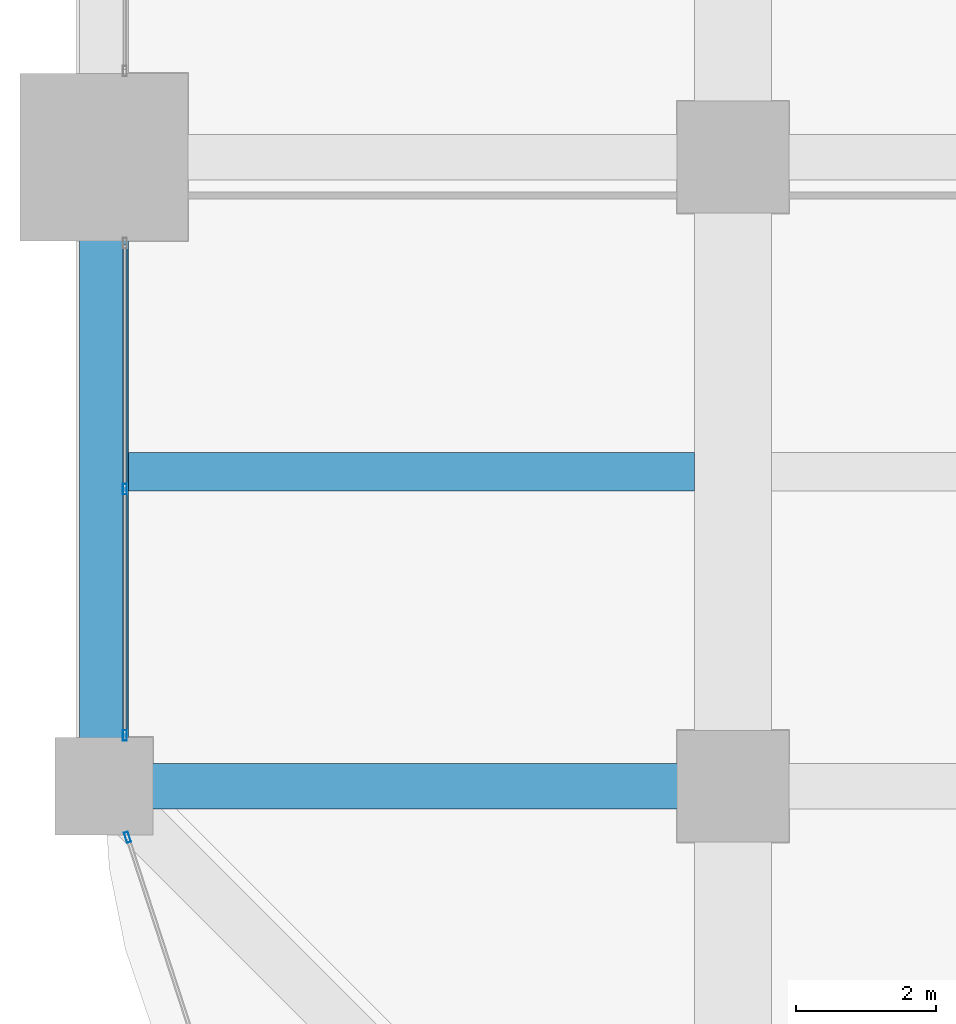
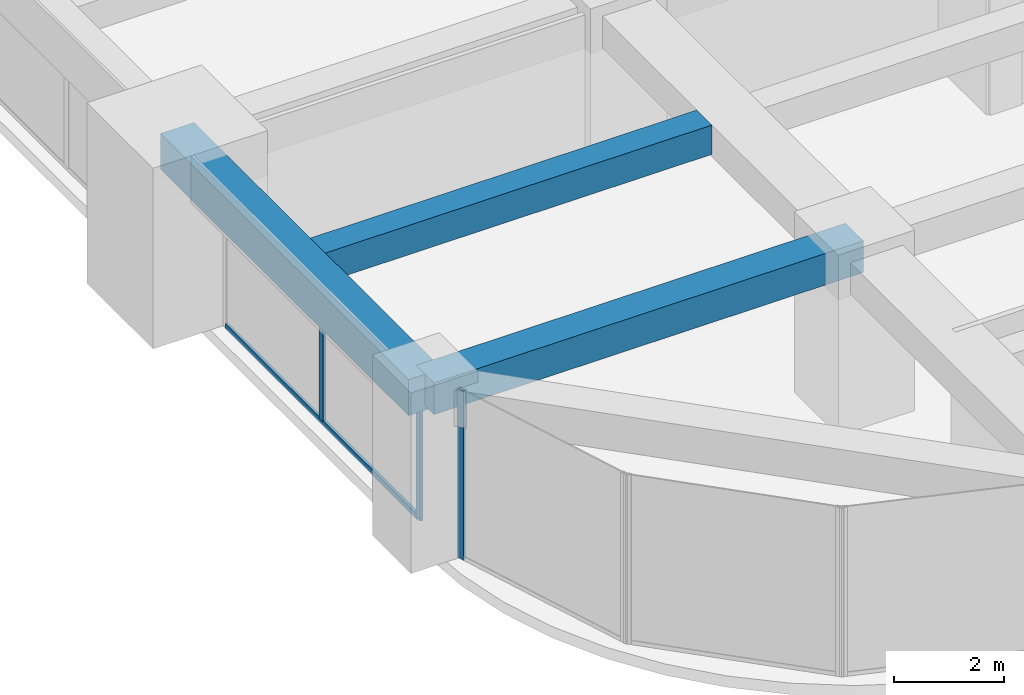
# One storey, part 4 of 32: 4 members, 3 beams, 2 elements without a shape of their own.
"""IFC4 building model written with IfcOpenShell, lengths in metres."""

import ifcopenshell
import ifcopenshell.guid

model = None  # the IFC model being written
_history = None  # IfcOwnerHistory: only IFC2X3 demands one
_inside = {}  # id of a spatial element -> (the spatial element, [elements in it])
_under = {}  # id of a project, library or spatial element -> (it, [spatial elements below it])
_declared = {}  # id of a project -> (the project, [libraries it declares])
_typed = {}  # id of a type object -> (the type object, [elements of that type])
_made_of = {}  # id of a material, layer set ... -> (it, [elements and type objects made of it])


def new_model(schema):
    """Start an empty IFC model of exactly this schema.

    Asked for "IFC4X3", IfcOpenShell would pick the latest addendum, in which some entities
    have other attributes; the version numbers below select the first issue.
    IFC2X3 requires an IfcOwnerHistory on every rooted entity: one is made here for all.
    """
    global model, _history
    if schema == "IFC4X3":
        model = ifcopenshell.file(schema_version=(4, 3, 0, 0))
    else:
        model = ifcopenshell.file(schema=schema)
    _inside.clear()
    _under.clear()
    _declared.clear()
    _typed.clear()
    _made_of.clear()
    _history = None
    if model.schema == "IFC2X3":
        org = make("IfcOrganization", Name="unknown")
        user = make(
            "IfcPersonAndOrganization",
            ThePerson=make("IfcPerson", FamilyName="unknown"),
            TheOrganization=org,
        )
        app = make(
            "IfcApplication",
            ApplicationDeveloper=org,
            Version="unknown",
            ApplicationFullName="unknown",
            ApplicationIdentifier="unknown",
        )
        _history = make(
            "IfcOwnerHistory",
            OwningUser=user,
            OwningApplication=app,
            ChangeAction="ADDED",
            CreationDate=0,
        )
    return model


def make(cls, **values):
    """One entity of the class cls with the attributes given. An attribute that is None is left unset."""
    return model.create_entity(
        cls, **{name: value for name, value in values.items() if value is not None}
    )


def rooted(cls, **values):
    """An entity with a GlobalId (a new one), such as an element, a storey or a relation."""
    return make(cls, GlobalId=ifcopenshell.guid.new(), OwnerHistory=_history, **values)


def si_unit(unit_type, name, prefix=None):
    """IfcSIUnit, for example si_unit("LENGTHUNIT", "METRE", prefix="MILLI")."""
    return make("IfcSIUnit", UnitType=unit_type, Prefix=prefix, Name=name)


def assignment(units):
    """IfcUnitAssignment: the units of a project."""
    return None if units is None else make("IfcUnitAssignment", Units=units)


def point(xyz):
    """IfcCartesianPoint."""
    return None if xyz is None else make("IfcCartesianPoint", Coordinates=xyz)


def direction(xyz):
    """IfcDirection."""
    return None if xyz is None else make("IfcDirection", DirectionRatios=xyz)


def frame(location, z_axis=None, x_axis=None):
    """IfcAxis2Placement3D, a coordinate frame: its origin and axes. An axis left out is left unset."""
    return make(
        "IfcAxis2Placement3D",
        Location=point(location),
        Axis=direction(z_axis),
        RefDirection=direction(x_axis),
    )


def frame_2d(location, x_axis=None):
    """IfcAxis2Placement2D, a coordinate frame in the plane: its origin and x axis."""
    return make(
        "IfcAxis2Placement2D", Location=point(location), RefDirection=direction(x_axis)
    )


def origin():
    """The frame at (0, 0, 0) with its axes left unset."""
    return frame((0.0, 0.0, 0.0))


def origin_2d():
    """The frame at (0, 0) in the plane with its x axis left unset."""
    return frame_2d((0.0, 0.0))


def place(relative_to, where):
    """IfcLocalPlacement: puts the frame where relative to a parent placement (None: the world)."""
    return make(
        "IfcLocalPlacement", PlacementRelTo=relative_to, RelativePlacement=where
    )


def context(
    kind, dimensions, precision=None, world=None, true_north=None, identifier=None
):
    """IfcGeometricRepresentationContext, for example the 3D "Model" context."""
    return make(
        "IfcGeometricRepresentationContext",
        ContextIdentifier=identifier,
        ContextType=kind,
        CoordinateSpaceDimension=dimensions,
        Precision=precision,
        WorldCoordinateSystem=world,
        TrueNorth=true_north,
    )


def subcontext(parent, identifier, kind, view, scale=None):
    """IfcGeometricRepresentationSubContext, for example "Body" below "Model"."""
    return make(
        "IfcGeometricRepresentationSubContext",
        ContextIdentifier=identifier,
        ContextType=kind,
        ParentContext=parent,
        TargetScale=scale,
        TargetView=view,
    )


def project(units=None, contexts=None):
    """IfcProject with its units and contexts."""
    return rooted(
        "IfcProject",
        Name="project",
        RepresentationContexts=contexts,
        UnitsInContext=assignment(units),
    )


def spatial(cls, under=None, at=None, **own):
    """A site, building, storey or space (cls), placed at a placement, below another one or the project."""
    s = rooted(cls, ObjectPlacement=at, **own)
    if under is not None:
        _under.setdefault(under.id(), (under, []))[1].append(s)
    return s


def profile(cls, at=None, kind="AREA", **sizes):
    """A parametric profile (cls). Its sizes go by their IFC names, for example OverallWidth=200.0."""
    return make(cls, ProfileType=kind, Position=at, **sizes)


def rectangle(**sizes):
    """IfcRectangleProfileDef."""
    return profile("IfcRectangleProfileDef", **sizes)


def hollow_rectangle(**sizes):
    """IfcRectangleHollowProfileDef."""
    return profile("IfcRectangleHollowProfileDef", **sizes)


def extrude(swept, where, along, depth):
    """IfcExtrudedAreaSolid: the profile swept, set in the frame where, extruded along a direction by depth."""
    return make(
        "IfcExtrudedAreaSolid",
        SweptArea=swept,
        Position=where,
        ExtrudedDirection=direction(along),
        Depth=depth,
    )


def shape(context_of_items, identifier, shape_type, items):
    """IfcShapeRepresentation: the items that make up one representation, for example the "Body"."""
    return make(
        "IfcShapeRepresentation",
        ContextOfItems=context_of_items,
        RepresentationIdentifier=identifier,
        RepresentationType=shape_type,
        Items=items,
    )


def material(Name=None, Category=None):
    """IfcMaterial."""
    return make("IfcMaterial", Name=Name, Category=Category)


def material_profile(
    of_material, cross_section, Name=None, Category=None, Priority=None
):
    """IfcMaterialProfile: a cross section and its material."""
    return make(
        "IfcMaterialProfile",
        Name=Name,
        Material=of_material,
        Profile=cross_section,
        Priority=Priority,
        Category=Category,
    )


def profile_set(profiles, Name=None, composite=None):
    """IfcMaterialProfileSet."""
    return make(
        "IfcMaterialProfileSet",
        Name=Name,
        MaterialProfiles=profiles,
        CompositeProfile=composite,
    )


def made_of(thing, what):
    """Note that an element or type object is made of a material, layer set ...; save() writes the relation."""
    if what is not None:
        _made_of.setdefault(what.id(), (what, []))[1].append(thing)
    return thing


def type_object(cls, material=None, **own):
    """A type object (cls), such as IfcWallType, which elements share."""
    return made_of(rooted(cls, **own), material)


def element(
    cls,
    number,
    at=None,
    inside=None,
    cuts=None,
    type_object=None,
    material=None,
    context=None,
    identifier="Body",
    shape_type=None,
    held_by="IfcProductDefinitionShape",
    body=None,
    shapes=None,
    **own,
):
    """One element of the class cls, such as IfcWall. Its Tag is "e" and its number.

    at: its placement. inside: the storey or other place that contains it. cuts: it is an
    opening in that element (IfcRelVoidsElement). A single representation is given by context,
    identifier, shape_type and body (its items); several are given by shapes. held_by: the class
    of the entity that holds the representations. save() writes the other relations.
    """
    e = rooted(cls, Tag="e%d" % number, ObjectPlacement=at, **own)
    if body is not None:
        shapes = [shape(context, identifier, shape_type, body)]
    if shapes is not None:
        e.Representation = make(held_by, Representations=shapes)
    if inside is not None:
        _inside.setdefault(inside.id(), (inside, []))[1].append(e)
    if cuts is not None:
        rooted(
            "IfcRelVoidsElement", RelatingBuildingElement=cuts, RelatedOpeningElement=e
        )
    if type_object is not None:
        _typed.setdefault(type_object.id(), (type_object, []))[1].append(e)
    return made_of(e, material)


def aggregate(whole, parts):
    """IfcRelAggregates: a whole, such as a stair, and the parts it consists of."""
    return rooted("IfcRelAggregates", RelatingObject=whole, RelatedObjects=parts)


def save(model, path):
    """Write the relations noted so far, then the file.

    IfcRelAggregates (storeys below a building ...), IfcRelContainedInSpatialStructure (elements
    in a storey), IfcRelDefinesByType, IfcRelAssociatesMaterial and IfcRelDeclares: one each for
    every whole, place, type object, material and project.
    """
    for whole, parts in _under.values():
        aggregate(whole, parts)
    for where, things in _inside.values():
        rooted(
            "IfcRelContainedInSpatialStructure",
            RelatedElements=things,
            RelatingStructure=where,
        )
    for kind, things in _typed.values():
        rooted("IfcRelDefinesByType", RelatedObjects=things, RelatingType=kind)
    for what, things in _made_of.values():
        rooted("IfcRelAssociatesMaterial", RelatedObjects=things, RelatingMaterial=what)
    for by, libraries in _declared.values():
        rooted("IfcRelDeclares", RelatingContext=by, RelatedDefinitions=libraries)
    model.write(path)


model = new_model("IFC4")

# Units and contexts
model_context = context("Model", 3, precision=1e-05, world=origin(), true_north=direction((0.0, 1.0)))
body_context = subcontext(model_context, "Body", "Model", "MODEL_VIEW")
ifc_project = project(units=[si_unit("LENGTHUNIT", "METRE"), si_unit("AREAUNIT", "SQUARE_METRE"), si_unit("VOLUMEUNIT", "CUBIC_METRE"), si_unit("PLANEANGLEUNIT", "RADIAN"), si_unit("MASSUNIT", "GRAM", prefix="KILO")], contexts=[model_context])

# Site, building, storey
site_placement = place(None, origin())
site = spatial("IfcSite", under=ifc_project, at=site_placement, CompositionType="ELEMENT")
building_placement = place(site_placement, origin())
building = spatial("IfcBuilding", under=site, at=building_placement, Name="Zorevar Civic Tower", CompositionType="ELEMENT")
storey_placement = place(building_placement, frame((0.0, 0.0, 182.199951171875)))
storey = spatial("IfcBuildingStorey", under=building, at=storey_placement, Name="L44", CompositionType="ELEMENT", Elevation=182.199951171875)

# Beams
ifc_material_1 = material(Name="Concrete C50/60", Category="concrete")
ifc_material_profile_1 = material_profile(ifc_material_1, rectangle(XDim=0.550048828125, YDim=0.64990234375, at=origin_2d()), Name="RC 550x650")
ifc_profile_set_1 = profile_set([ifc_material_profile_1], Name="Concrete C50/60")
beam_type_1 = type_object("IfcBeamType", Name="Beam RC 550x650", PredefinedType="BEAM", material=ifc_profile_set_1)
beam_1_placement = place(storey_placement, frame((0.35009765625, 13.5, 3.425048828125), z_axis=(1.0, 0.0, 0.0), x_axis=(0.0, 1.0, 0.0)))
element("IfcBeam", 1, at=beam_1_placement, inside=storey, type_object=beam_type_1, Name="Secondary beam L45", PredefinedType="BEAM", context=body_context, shape_type="SweptSolid", body=[
    extrude(rectangle(XDim=0.550048828125, YDim=0.64990234375, at=origin_2d()), origin(), (0.0, 0.0, 1.0), 8.099853515625),
])
ifc_material_2 = material(Name="Concrete C50/60", Category="concrete")
ifc_material_profile_2 = material_profile(ifc_material_2, rectangle(XDim=0.64990234375, YDim=0.699951171875, at=origin_2d()), Name="RC 650x700")
ifc_profile_set_2 = profile_set([ifc_material_profile_2], Name="Concrete C50/60")
beam_type_2 = type_object("IfcBeamType", Name="Beam RC 650x700", PredefinedType="BEAM", material=ifc_profile_set_2)
beam_2_placement = place(storey_placement, frame((0.0, 9.0, 3.400146484375), z_axis=(1.0, 0.0, 0.0), x_axis=(0.0, 1.0, 0.0)))
element("IfcBeam", 2, at=beam_2_placement, inside=storey, type_object=beam_type_2, Name="Girder L45", PredefinedType="BEAM", context=body_context, shape_type="SweptSolid", body=[
    extrude(rectangle(XDim=0.64990234375, YDim=0.699951171875, at=origin_2d()), origin(), (0.0, 0.0, 1.0), 9.0),
])

# Curtain wall, members
ifc_material_3 = material(Name="Dark grey solar-control glass in black aluminium frame", Category="aluminium")
curtain_wall_type = type_object("IfcCurtainWallType", Name="Curtain wall CW4 high zone", PredefinedType="NOTDEFINED", material=ifc_material_3)
curtain_wall_1_placement = place(storey_placement, origin())
curtain_wall_1 = element("IfcCurtainWall", 3, at=curtain_wall_1_placement, inside=storey, type_object=curtain_wall_type, Name="CW4 L44", PredefinedType="NOTDEFINED")
ifc_material_4 = material(Name="Aluminium, black anodised", Category="aluminium")
ifc_material_profile_3 = material_profile(ifc_material_4, hollow_rectangle(XDim=0.06005859375, YDim=0.14990234375, WallThickness=0.00390625, at=origin_2d()), Name="AL 150x60x4")
ifc_profile_set_3 = profile_set([ifc_material_profile_3], Name="Aluminium, black anodised")
member_type_1 = type_object("IfcMemberType", Name="CW4 mullion AL 150x60x4", PredefinedType="MULLION", material=ifc_profile_set_3)
member_1_placement = place(storey_placement, frame((0.300048828125, 9.72998046875, 0.0), z_axis=(0.0, 0.0, 1.0), x_axis=(-1.0, 0.0, 0.0)))
member_1 = element("IfcMember", 4, at=member_1_placement, type_object=member_type_1, Name="CW4 mullion 1", PredefinedType="MULLION", context=body_context, shape_type="SweptSolid", body=[
    extrude(hollow_rectangle(XDim=0.06005859375, YDim=0.14990234375, WallThickness=0.00390625, at=origin_2d()), origin(), (0.0, 0.0, 1.0), 2.949951171875),
])
member_2_placement = place(storey_placement, frame((0.300048828125, 13.25, 0.06005859375), z_axis=(0.0, 0.0, 1.0), x_axis=(-1.0, 0.0, 0.0)))
member_2 = element("IfcMember", 5, at=member_2_placement, type_object=member_type_1, Name="CW4 mullion 2", PredefinedType="MULLION", context=body_context, shape_type="SweptSolid", body=[
    extrude(hollow_rectangle(XDim=0.06005859375, YDim=0.14990234375, WallThickness=0.00390625, at=origin_2d()), origin(), (0.0, 0.0, 1.0), 2.889892578125),
])

# Curtain wall, member
curtain_wall_2_placement = place(storey_placement, origin())
curtain_wall_2 = element("IfcCurtainWall", 6, at=curtain_wall_2_placement, inside=storey, type_object=curtain_wall_type, Name="CW4 L44", PredefinedType="NOTDEFINED")
member_3_placement = place(storey_placement, frame((0.337646484375, 8.271484375, 0.0), z_axis=(0.0, 0.0, 1.0), x_axis=(0.950644749916, 0.310281419775, 0.0)))
member_3 = element("IfcMember", 7, at=member_3_placement, type_object=member_type_1, Name="CW4 mullion 1", PredefinedType="MULLION", context=body_context, shape_type="SweptSolid", body=[
    extrude(hollow_rectangle(XDim=0.06005859375, YDim=0.14990234375, WallThickness=0.00390625, at=origin_2d()), origin(), (0.0, 0.0, 1.0), 3.75),
])
aggregate(curtain_wall_2, [member_3])

# Member
ifc_material_5 = material(Name="Aluminium, black anodised", Category="aluminium")
ifc_material_profile_4 = material_profile(ifc_material_5, hollow_rectangle(XDim=0.06005859375, YDim=0.1201171875, WallThickness=0.0029296875, at=origin_2d()), Name="AL 120x60x3")
ifc_profile_set_4 = profile_set([ifc_material_profile_4], Name="Aluminium, black anodised")
member_type_2 = type_object("IfcMemberType", Name="CW4 transom AL 120x60x3", PredefinedType="USERDEFINED", material=ifc_profile_set_4)
member_4_placement = place(storey_placement, frame((0.300048828125, 9.760009765625, 0.030029296875), z_axis=(0.0, 1.0, 0.0), x_axis=(-1.0, 0.0, 0.0)))
member_4 = element("IfcMember", 8, at=member_4_placement, type_object=member_type_2, Name="CW4 sill transom", ObjectType="TRANSOM", PredefinedType="USERDEFINED", context=body_context, shape_type="SweptSolid", body=[
    extrude(hollow_rectangle(XDim=0.06005859375, YDim=0.1201171875, WallThickness=0.0029296875, at=origin_2d()), origin(), (0.0, 0.0, 1.0), 6.97998046875),
])

aggregate(curtain_wall_1, [member_1, member_2, member_4])

# Beam
ifc_material_6 = material(Name="Concrete C50/60", Category="concrete")
ifc_material_profile_5 = material_profile(ifc_material_6, rectangle(XDim=0.699951171875, YDim=0.800048828125, at=origin_2d()), Name="RC 700x800")
ifc_profile_set_5 = profile_set([ifc_material_profile_5], Name="Concrete C50/60")
beam_type_3 = type_object("IfcBeamType", Name="Edge beam RC 700x800", PredefinedType="SPANDREL", material=ifc_profile_set_5)
beam_3_placement = place(storey_placement, frame((0.0, 9.0, 3.35009765625), z_axis=(0.0, 1.0, 0.0), x_axis=(-1.0, 0.0, 0.0)))
element("IfcBeam", 9, at=beam_3_placement, inside=storey, type_object=beam_type_3, Name="Edge beam L45", PredefinedType="SPANDREL", context=body_context, shape_type="SweptSolid", body=[
    extrude(rectangle(XDim=0.699951171875, YDim=0.800048828125, at=origin_2d()), origin(), (0.0, 0.0, 1.0), 9.0),
])

save(model, "model.ifc")
